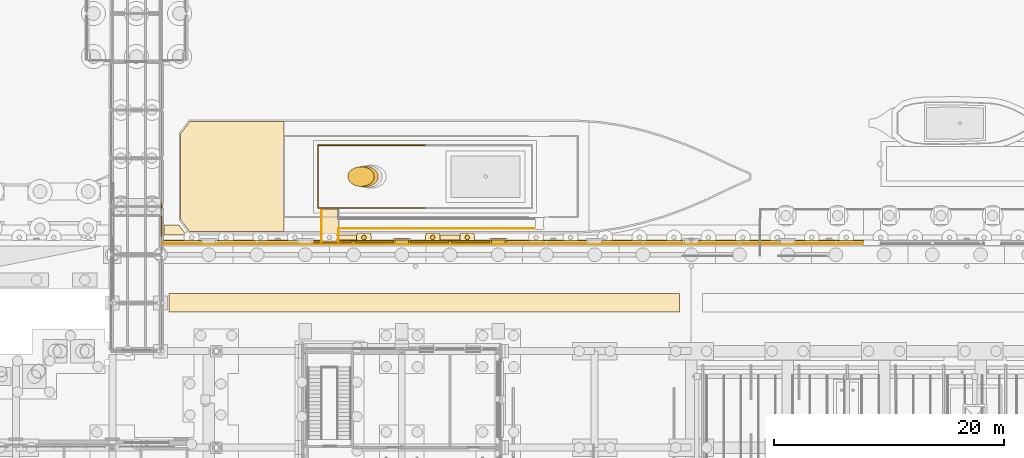
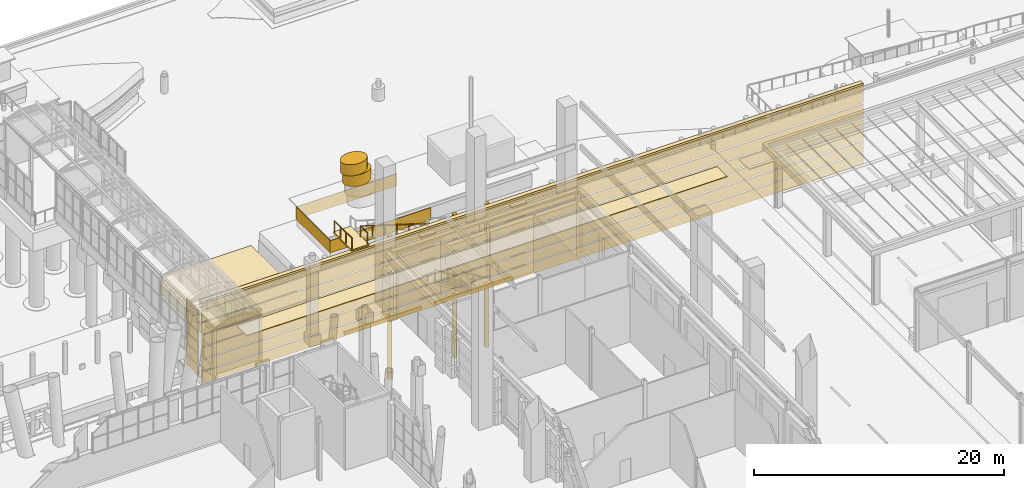
# One storey, part 191 of 222: 38 coverings, 2 railings.
"""IFC4 building model written with IfcOpenShell, lengths in metres."""

from ifc_helpers import new_model, si_unit, direction, frame, origin, origin_2d, place, context, subcontext, project, spatial, polyline, rectangle, circle, outline, extrude, material, layer, layer_set, type_object, element, save


model = new_model("IFC4")

# Units and contexts
model_context = context("Model", 3, precision=1e-05, world=origin(), true_north=direction((0.0, 1.0)))
body_context = subcontext(model_context, "Body", "Model", "MODEL_VIEW")
ifc_project = project(units=[si_unit("LENGTHUNIT", "METRE"), si_unit("AREAUNIT", "SQUARE_METRE"), si_unit("VOLUMEUNIT", "CUBIC_METRE"), si_unit("PLANEANGLEUNIT", "RADIAN"), si_unit("MASSUNIT", "GRAM", prefix="KILO")], contexts=[model_context])

# Site, building, storey
site_placement = place(None, origin())
site = spatial("IfcSite", under=ifc_project, at=site_placement, CompositionType="ELEMENT")
building_placement = place(site_placement, origin())
building = spatial("IfcBuilding", under=site, at=building_placement, Name="Sava Quay Ferry Terminal", CompositionType="ELEMENT")
storey_placement = place(building_placement, origin())
storey = spatial("IfcBuildingStorey", under=building, at=storey_placement, Name="L00", CompositionType="ELEMENT", Elevation=0.0)

# Covering
ifc_material_1 = material(Name="Steel S355", Category="steel")
ifc_layer_1 = layer(ifc_material_1, 0.1201171875)
ifc_layer_set_1 = layer_set([ifc_layer_1], Name="Steel S355")
covering_type_1 = type_object("IfcCoveringType", Name="Boarding gangway plate 120", PredefinedType="FLOORING", material=ifc_layer_set_1)
covering_1_placement = place(storey_placement, frame((94.550048828125, 120.125, 0.0), z_axis=(0.0, 0.0, 1.0), x_axis=(1.0, 0.0, 0.0)))
element("IfcCovering", 1, at=covering_1_placement, inside=storey, type_object=covering_type_1, Name="Boarding gangway", PredefinedType="FLOORING", context=body_context, shape_type="SweptSolid", body=[
    extrude(rectangle(XDim=1.60009765625, YDim=2.949951171875, at=origin_2d()), origin(), (0.0, 0.0, 1.0), 0.1201171875),
])

# Railings
ifc_material_2 = material(Name="Steel S355", Category="steel")
railing_type = type_object("IfcRailingType", Name="Edge guard 1100", PredefinedType="GUARDRAIL", material=ifc_material_2)
railing_1_placement = place(storey_placement, frame((93.820068359375, 118.75, 0.1201171875)))
element("IfcRailing", 2, at=railing_1_placement, inside=storey, type_object=railing_type, Name="Gangway guard", PredefinedType="GUARDRAIL", context=body_context, shape_type="SweptSolid", body=[
    extrude(circle(Radius=0.02392578125, at=origin_2d()), frame((0.0, 0.0, 1.076171875), z_axis=(0.0, 1.0, 0.0), x_axis=(-1.0, 0.0, 0.0)), (0.0, 0.0, 1.0), 2.75),
    extrude(circle(Radius=0.02099609375, at=origin_2d()), origin(), (0.0, 0.0, 1.0), 1.052001953125),
    extrude(circle(Radius=0.02099609375, at=origin_2d()), frame((0.0, 0.916748046875, 0.0)), (0.0, 0.0, 1.0), 1.052001953125),
    extrude(circle(Radius=0.02099609375, at=origin_2d()), frame((0.0, 1.833251953125, 0.0)), (0.0, 0.0, 1.0), 1.052001953125),
    extrude(circle(Radius=0.02099609375, at=origin_2d()), frame((0.0, 2.75, 0.0)), (0.0, 0.0, 1.0), 1.052001953125),
])
railing_2_placement = place(storey_placement, frame((113.1298828125, 119.8701171875, -5.47998046875)))
element("IfcRailing", 3, at=railing_2_placement, inside=storey, type_object=railing_type, Name="Gangway guard", PredefinedType="GUARDRAIL", context=body_context, shape_type="SweptSolid", body=[
    extrude(circle(Radius=0.02392578125, at=origin_2d()), frame((0.0, 0.0, 1.076171875), z_axis=(-0.954144295007, 0.0, 0.299347063298), x_axis=(0.0, -1.0, 0.0)), (0.0, 0.0, 1.0), 18.707763671875),
    extrude(circle(Radius=0.02392578125, at=origin_2d()), frame((-17.849853515625, 0.0, 6.67626953125), z_axis=(0.0, -1.0, 0.0), x_axis=(1.0, 0.0, 0.0)), (0.0, 0.0, 1.0), 1.1201171875),
    extrude(circle(Radius=0.02099609375, at=origin_2d()), origin(), (0.0, 0.0, 1.0), 1.052001953125),
    extrude(circle(Radius=0.02099609375, at=origin_2d()), frame((-1.11572265625, 0.0, 0.35009765625)), (0.0, 0.0, 1.0), 1.052001953125),
    extrude(circle(Radius=0.02099609375, at=origin_2d()), frame((-2.231201171875, 0.0, 0.699951171875)), (0.0, 0.0, 1.0), 1.052001953125),
    extrude(circle(Radius=0.02099609375, at=origin_2d()), frame((-3.346923828125, 0.0, 1.050048828125)), (0.0, 0.0, 1.0), 1.052001953125),
    extrude(circle(Radius=0.02099609375, at=origin_2d()), frame((-4.46240234375, 0.0, 1.39990234375)), (0.0, 0.0, 1.0), 1.052001953125),
    extrude(circle(Radius=0.02099609375, at=origin_2d()), frame((-5.578125, 0.0, 1.75)), (0.0, 0.0, 1.0), 1.052001953125),
    extrude(circle(Radius=0.02099609375, at=origin_2d()), frame((-6.693603515625, 0.0, 2.10009765625)), (0.0, 0.0, 1.0), 1.052001953125),
    extrude(circle(Radius=0.02099609375, at=origin_2d()), frame((-7.809326171875, 0.0, 2.449951171875)), (0.0, 0.0, 1.0), 1.052001953125),
    extrude(circle(Radius=0.02099609375, at=origin_2d()), frame((-8.9248046875, 0.0, 2.800048828125)), (0.0, 0.0, 1.0), 1.052001953125),
    extrude(circle(Radius=0.02099609375, at=origin_2d()), frame((-10.04052734375, 0.0, 3.150146484375)), (0.0, 0.0, 1.0), 1.052001953125),
    extrude(circle(Radius=0.02099609375, at=origin_2d()), frame((-11.15625, 0.0, 3.5)), (0.0, 0.0, 1.0), 1.052001953125),
    extrude(circle(Radius=0.02099609375, at=origin_2d()), frame((-12.271728515625, 0.0, 3.85009765625)), (0.0, 0.0, 1.0), 1.052001953125),
    extrude(circle(Radius=0.02099609375, at=origin_2d()), frame((-13.387451171875, 0.0, 4.2001953125)), (0.0, 0.0, 1.0), 1.052001953125),
    extrude(circle(Radius=0.02099609375, at=origin_2d()), frame((-14.5029296875, 0.0, 4.550048828125)), (0.0, 0.0, 1.0), 1.052001953125),
    extrude(circle(Radius=0.02099609375, at=origin_2d()), frame((-15.61865234375, 0.0, 4.900146484375)), (0.0, 0.0, 1.0), 1.052001953125),
    extrude(circle(Radius=0.02099609375, at=origin_2d()), frame((-16.734130859375, 0.0, 5.25)), (0.0, 0.0, 1.0), 1.052001953125),
    extrude(circle(Radius=0.02099609375, at=origin_2d()), frame((-17.849853515625, 0.0, 5.60009765625)), (0.0, 0.0, 1.0), 1.052001953125),
    extrude(circle(Radius=0.02099609375, at=origin_2d()), frame((-17.849853515625, -1.1201171875, 5.60009765625)), (0.0, 0.0, 1.0), 1.052001953125),
])

# Coverings
ifc_material_3 = material(Name="Greenheart timber", Category="wood")
ifc_layer_2 = layer(ifc_material_3, 0.25)
ifc_layer_set_2 = layer_set([ifc_layer_2], Name="Greenheart timber")
covering_type_2 = type_object("IfcCoveringType", Name="Fender post 250", PredefinedType="CLADDING", material=ifc_layer_set_2)
covering_2_placement = place(storey_placement, frame((0.0, 0.0, -7.60009765625)))
element("IfcCovering", 4, at=covering_2_placement, inside=storey, type_object=covering_type_2, Name="Fender post", PredefinedType="CLADDING", context=body_context, shape_type="SweptSolid", body=[
    extrude(outline(polyline([(96.72509765625, 118.550048828125), (96.72509765625, 118.800048828125), (96.47509765625, 118.800048828125), (96.47509765625, 118.550048828125), (96.72509765625, 118.550048828125)])), origin(), (0.0, 0.0, 1.0), 6.650146484375),
])
covering_3_placement = place(storey_placement, frame((0.0, 0.0, -7.60009765625)))
element("IfcCovering", 5, at=covering_3_placement, inside=storey, type_object=covering_type_2, Name="Fender post", PredefinedType="CLADDING", context=body_context, shape_type="SweptSolid", body=[
    extrude(outline(polyline([(105.125, 118.550048828125), (105.125, 118.800048828125), (104.875, 118.800048828125), (104.875, 118.550048828125), (105.125, 118.550048828125)])), origin(), (0.0, 0.0, 1.0), 6.650146484375),
])
ifc_material_4 = material(Name="Greenheart timber", Category="wood")
ifc_layer_3 = layer(ifc_material_4, 0.14990234375)
ifc_layer_set_3 = layer_set([ifc_layer_3], Name="Greenheart timber")
covering_type_3 = type_object("IfcCoveringType", Name="Fender rubbing strip 150", PredefinedType="CLADDING", material=ifc_layer_set_3)
covering_4_placement = place(storey_placement, frame((0.0, 0.0, -7.89990234375)))
element("IfcCovering", 6, at=covering_4_placement, inside=storey, type_object=covering_type_3, Name="Fender rubbing strip", PredefinedType="CLADDING", context=body_context, shape_type="SweptSolid", body=[
    extrude(outline(polyline([(101.409912109375, 118.550048828125), (108.590087890625, 118.550048828125), (108.590087890625, 118.699951171875), (101.409912109375, 118.699951171875), (101.409912109375, 118.550048828125)])), origin(), (0.0, 0.0, 1.0), 0.2998046875),
])
covering_5_placement = place(storey_placement, frame((0.0, 0.0, -7.89990234375)))
element("IfcCovering", 7, at=covering_5_placement, inside=storey, type_object=covering_type_3, Name="Fender rubbing strip", PredefinedType="CLADDING", context=body_context, shape_type="SweptSolid", body=[
    extrude(outline(polyline([(93.010009765625, 118.550048828125), (100.18994140625, 118.550048828125), (100.18994140625, 118.699951171875), (93.010009765625, 118.699951171875), (93.010009765625, 118.550048828125)])), origin(), (0.0, 0.0, 1.0), 0.2998046875),
])
ifc_material_5 = material(Name="Steel S355", Category="steel")
ifc_layer_4 = layer(ifc_material_5, 1.0)
ifc_layer_set_4 = layer_set([ifc_layer_4], Name="Steel S355")
covering_type_4 = type_object("IfcCoveringType", Name="Ferry forecastle and poop 1000", PredefinedType="CLADDING", material=ifc_layer_set_4)
covering_6_placement = place(storey_placement, frame((0.0, 0.0, -5.60009765625)))
element("IfcCovering", 8, at=covering_6_placement, inside=storey, type_object=covering_type_4, Name="Ferry poop deck", PredefinedType="CLADDING", context=body_context, shape_type="SweptSolid", body=[
    extrude(outline(polyline([(82.35009765625, 129.199951171875), (81.550048828125, 128.14404296875), (81.550048828125, 120.656005859375), (82.35009765625, 119.60009765625), (90.550048828125, 119.60009765625), (90.550048828125, 129.199951171875), (82.35009765625, 129.199951171875)])), origin(), (0.0, 0.0, 1.0), 0.900146484375),
])
ifc_material_6 = material(Name="Steel S355", Category="steel")
ifc_layer_5 = layer(ifc_material_6, 4.39990234375)
ifc_layer_set_5 = layer_set([ifc_layer_5], Name="Steel S355")
covering_type_5 = type_object("IfcCoveringType", Name="Ferry funnel", PredefinedType="CLADDING", material=ifc_layer_set_5)
covering_7_placement = place(storey_placement, frame((0.0, 0.0, 2.199951171875)))
element("IfcCovering", 9, at=covering_7_placement, inside=storey, type_object=covering_type_5, Name="Ferry funnel", PredefinedType="CLADDING", context=body_context, shape_type="SweptSolid", body=[
    extrude(outline(polyline([(98.7548828125, 124.39990234375), (98.7451171875, 124.51708984375), (98.714111328125, 124.633056640625), (98.6630859375, 124.743896484375), (98.592041015625, 124.85009765625), (98.50390625, 124.947998046875), (98.39892578125, 125.035888671875), (98.280029296875, 125.114013671875), (98.14697265625, 125.178955078125), (98.0048828125, 125.23095703125), (97.85400390625, 125.26904296875), (97.698974609375, 125.2919921875), (97.5400390625, 125.300048828125), (97.381103515625, 125.2919921875), (97.22607421875, 125.26904296875), (97.074951171875, 125.23095703125), (96.931884765625, 125.178955078125), (96.800048828125, 125.114013671875), (96.680908203125, 125.035888671875), (96.575927734375, 124.947998046875), (96.488037109375, 124.85009765625), (96.4169921875, 124.743896484375), (96.365966796875, 124.633056640625), (96.3349609375, 124.51708984375), (96.324951171875, 124.39990234375), (96.3349609375, 124.282958984375), (96.365966796875, 124.1669921875), (96.4169921875, 124.055908203125), (96.488037109375, 123.949951171875), (96.575927734375, 123.85205078125), (96.680908203125, 123.763916015625), (96.800048828125, 123.68603515625), (96.931884765625, 123.62109375), (97.074951171875, 123.569091796875), (97.22607421875, 123.531005859375), (97.381103515625, 123.508056640625), (97.5400390625, 123.5), (97.698974609375, 123.508056640625), (97.85400390625, 123.531005859375), (98.0048828125, 123.569091796875), (98.14697265625, 123.62109375), (98.280029296875, 123.68603515625), (98.39892578125, 123.763916015625), (98.50390625, 123.85205078125), (98.592041015625, 123.949951171875), (98.6630859375, 124.055908203125), (98.714111328125, 124.1669921875), (98.7451171875, 124.282958984375), (98.7548828125, 124.39990234375)])), origin(), (0.0, 0.0, 1.0), 1.10009765625),
])
covering_8_placement = place(storey_placement, frame((0.0, 0.0, 3.300048828125)))
element("IfcCovering", 10, at=covering_8_placement, inside=storey, type_object=covering_type_5, Name="Ferry funnel", PredefinedType="CLADDING", context=body_context, shape_type="SweptSolid", body=[
    extrude(outline(polyline([(98.406982421875, 124.39990234375), (98.39794921875, 124.510986328125), (98.367919921875, 124.6201171875), (98.320068359375, 124.72509765625), (98.25390625, 124.824951171875), (98.169921875, 124.9169921875), (98.071044921875, 125.0009765625), (97.958984375, 125.073974609375), (97.833984375, 125.135986328125), (97.698974609375, 125.18505859375), (97.556884765625, 125.220947265625), (97.409912109375, 125.242919921875), (97.260009765625, 125.25), (97.110107421875, 125.242919921875), (96.962890625, 125.220947265625), (96.821044921875, 125.18505859375), (96.68603515625, 125.135986328125), (96.56103515625, 125.073974609375), (96.448974609375, 125.0009765625), (96.35009765625, 124.9169921875), (96.26611328125, 124.824951171875), (96.199951171875, 124.72509765625), (96.152099609375, 124.6201171875), (96.1220703125, 124.510986328125), (96.112060546875, 124.39990234375), (96.1220703125, 124.2890625), (96.152099609375, 124.179931640625), (96.199951171875, 124.074951171875), (96.26611328125, 123.97509765625), (96.35009765625, 123.883056640625), (96.448974609375, 123.799072265625), (96.56103515625, 123.72607421875), (96.68603515625, 123.6640625), (96.821044921875, 123.614990234375), (96.962890625, 123.5791015625), (97.110107421875, 123.556884765625), (97.260009765625, 123.550048828125), (97.409912109375, 123.556884765625), (97.556884765625, 123.5791015625), (97.698974609375, 123.614990234375), (97.833984375, 123.6640625), (97.958984375, 123.72607421875), (98.071044921875, 123.799072265625), (98.169921875, 123.883056640625), (98.25390625, 123.97509765625), (98.320068359375, 124.074951171875), (98.367919921875, 124.179931640625), (98.39794921875, 124.2890625), (98.406982421875, 124.39990234375)])), origin(), (0.0, 0.0, 1.0), 1.099853515625),
])
ifc_material_7 = material(Name="Glass", Category="glass")
ifc_layer_6 = layer(ifc_material_7, 0.06005859375)
ifc_layer_set_6 = layer_set([ifc_layer_6], Name="Glass")
covering_type_6 = type_object("IfcCoveringType", Name="Ferry window band 60", PredefinedType="CLADDING", material=ifc_layer_set_6)
covering_9_placement = place(storey_placement, frame((0.0, 0.0, -1.89990234375)))
element("IfcCovering", 11, at=covering_9_placement, inside=storey, type_object=covering_type_6, Name="Ferry window band", PredefinedType="CLADDING", context=body_context, shape_type="SweptSolid", body=[
    extrude(outline(polyline([(93.489990234375, 121.639892578125), (102.824951171875, 121.639892578125), (102.824951171875, 121.699951171875), (93.550048828125, 121.699951171875), (93.550048828125, 127.10009765625), (102.824951171875, 127.10009765625), (102.824951171875, 127.159912109375), (93.489990234375, 127.159912109375), (93.489990234375, 121.639892578125)])), origin(), (0.0, 0.0, 1.0), 1.199951171875),
])
ifc_material_8 = material(Name="Timber", Category="wood")
ifc_layer_7 = layer(ifc_material_8, 0.39990234375)
ifc_layer_set_7 = layer_set([ifc_layer_7], Name="Timber")
covering_type_7 = type_object("IfcCoveringType", Name="Quay fender pile 400", PredefinedType="CLADDING", material=ifc_layer_set_7)
for number, where, z_axis, x_axis, name in (
    (12, (97.5, 119.10009765625, 0.0), (0.0, 0.0, -1.0), (1.0, 0.0, 0.0), "Quay fender pile"),
    (13, (103.5, 119.10009765625, 0.0), (0.0, 0.0, -1.0), (1.0, 0.0, 0.0), "Quay fender pile"),
    (14, (106.5, 119.10009765625, 0.0), (0.0, 0.0, -1.0), (1.0, 0.0, 0.0), "Quay fender pile"),
):
    element("IfcCovering", number, at=place(storey_placement, frame(where, z_axis=z_axis, x_axis=x_axis)), inside=storey, type_object=covering_type_7, Name=name, PredefinedType="CLADDING", context=body_context, shape_type="SweptSolid", body=[
        extrude(circle(Radius=0.199951171875, at=origin_2d()), origin(), (0.0, 0.0, 1.0), 14.0),
    ])
ifc_material_9 = material(Name="Timber", Category="wood")
ifc_layer_8 = layer(ifc_material_9, 0.39990234375)
ifc_layer_set_8 = layer_set([ifc_layer_8], Name="Timber")
covering_type_8 = type_object("IfcCoveringType", Name="Quay fender waling", PredefinedType="MOLDING", material=ifc_layer_set_8)
covering_10_placement = place(storey_placement, frame((0.0, 0.0, -6.5)))
element("IfcCovering", 15, at=covering_10_placement, inside=storey, type_object=covering_type_8, Name="Quay fender waling", PredefinedType="MOLDING", context=body_context, shape_type="SweptSolid", body=[
    extrude(outline(polyline([(97.300048828125, 118.89990234375), (97.300048828125, 119.300048828125), (94.699951171875, 119.300048828125), (94.699951171875, 118.89990234375), (97.300048828125, 118.89990234375)])), origin(), (0.0, 0.0, 1.0), 0.300048828125),
])
covering_11_placement = place(storey_placement, frame((0.0, 0.0, -6.5)))
element("IfcCovering", 16, at=covering_11_placement, inside=storey, type_object=covering_type_8, Name="Quay fender waling", PredefinedType="MOLDING", context=body_context, shape_type="SweptSolid", body=[
    extrude(outline(polyline([(106.300048828125, 118.89990234375), (106.300048828125, 119.300048828125), (103.699951171875, 119.300048828125), (103.699951171875, 118.89990234375), (106.300048828125, 118.89990234375)])), origin(), (0.0, 0.0, 1.0), 0.300048828125),
])
ifc_material_10 = material(Name="Limestone Mutalj", Category="masonry")
ifc_layer_9 = layer(ifc_material_10, 0.449951171875)
ifc_layer_set_9 = layer_set([ifc_layer_9], Name="Limestone Mutalj")
covering_type_9 = type_object("IfcCoveringType", Name="Quay pilaster cap 1400", PredefinedType="MOLDING", material=ifc_layer_set_9)
covering_12_placement = place(storey_placement, frame((0.0, 0.0, -0.949951171875)))
element("IfcCovering", 17, at=covering_12_placement, inside=storey, type_object=covering_type_9, Name="Quay pilaster cap", PredefinedType="MOLDING", context=body_context, shape_type="SweptSolid", body=[
    extrude(outline(polyline([(101.5, 118.550048828125), (101.5, 119.0), (100.10009765625, 119.0), (100.10009765625, 118.550048828125), (101.5, 118.550048828125)])), origin(), (0.0, 0.0, 1.0), 0.14990234375),
])
covering_13_placement = place(storey_placement, frame((0.0, 0.0, -0.949951171875)))
element("IfcCovering", 18, at=covering_13_placement, inside=storey, type_object=covering_type_9, Name="Quay pilaster cap", PredefinedType="MOLDING", context=body_context, shape_type="SweptSolid", body=[
    extrude(outline(polyline([(109.89990234375, 118.550048828125), (109.89990234375, 119.0), (108.5, 119.0), (108.5, 118.550048828125), (109.89990234375, 118.550048828125)])), origin(), (0.0, 0.0, 1.0), 0.14990234375),
])
ifc_material_11 = material(Name="Limestone Mutalj", Category="masonry")
ifc_layer_10 = layer(ifc_material_11, 0.39990234375)
ifc_layer_set_10 = layer_set([ifc_layer_10], Name="Limestone Mutalj")
covering_type_10 = type_object("IfcCoveringType", Name="Quay wall coping 400", PredefinedType="MOLDING", material=ifc_layer_set_10)
covering_14_placement = place(storey_placement, frame((0.0, 0.0, -0.199951171875)))
element("IfcCovering", 19, at=covering_14_placement, inside=storey, type_object=covering_type_10, Name="Quay wall coping", PredefinedType="MOLDING", context=body_context, shape_type="SweptSolid", body=[
    extrude(outline(polyline([(141.0, 118.89990234375), (79.800048828125, 118.89990234375), (79.800048828125, 118.5), (141.0, 118.5), (141.0, 118.89990234375)])), origin(), (0.0, 0.0, 1.0), 0.199951171875),
])
ifc_material_12 = material(Name="Limestone Mutalj", Category="masonry")
ifc_layer_11 = layer(ifc_material_12, 0.35009765625)
ifc_layer_set_11 = layer_set([ifc_layer_11], Name="Limestone Mutalj")
covering_type_11 = type_object("IfcCoveringType", Name="Quay wall cornice 350", PredefinedType="MOLDING", material=ifc_layer_set_11)
covering_15_placement = place(storey_placement, frame((0.0, 0.0, -0.800048828125)))
element("IfcCovering", 20, at=covering_15_placement, inside=storey, type_object=covering_type_11, Name="Quay wall cornice", PredefinedType="MOLDING", context=body_context, shape_type="SweptSolid", body=[
    extrude(outline(polyline([(141.0, 118.85009765625), (79.800048828125, 118.85009765625), (79.800048828125, 118.5), (141.0, 118.5), (141.0, 118.85009765625)])), origin(), (0.0, 0.0, 1.0), 0.60009765625),
])
ifc_material_13 = material(Name="Limestone Mutalj", Category="masonry")
ifc_layer_12 = layer(ifc_material_13, 0.35009765625)
ifc_layer_set_12 = layer_set([ifc_layer_12], Name="Limestone Mutalj")
covering_type_12 = type_object("IfcCoveringType", Name="Quay wall pilaster 1200", PredefinedType="CLADDING", material=ifc_layer_set_12)
covering_16_placement = place(storey_placement, frame((0.0, 0.0, -8.0)))
element("IfcCovering", 21, at=covering_16_placement, inside=storey, type_object=covering_type_12, Name="Quay wall pilaster", PredefinedType="CLADDING", context=body_context, shape_type="SweptSolid", body=[
    extrude(outline(polyline([(101.39990234375, 118.550048828125), (101.39990234375, 118.89990234375), (100.199951171875, 118.89990234375), (100.199951171875, 118.550048828125), (101.39990234375, 118.550048828125)])), origin(), (0.0, 0.0, 1.0), 7.050048828125),
])
covering_17_placement = place(storey_placement, frame((0.0, 0.0, -8.0)))
element("IfcCovering", 22, at=covering_17_placement, inside=storey, type_object=covering_type_12, Name="Quay wall pilaster", PredefinedType="CLADDING", context=body_context, shape_type="SweptSolid", body=[
    extrude(outline(polyline([(109.800048828125, 118.550048828125), (109.800048828125, 118.89990234375), (108.60009765625, 118.89990234375), (108.60009765625, 118.550048828125), (109.800048828125, 118.550048828125)])), origin(), (0.0, 0.0, 1.0), 7.050048828125),
])
ifc_material_14 = material(Name="Water")
ifc_layer_13 = layer(ifc_material_14, 0.0400390625)
ifc_layer_set_13 = layer_set([ifc_layer_13], Name="Water")
covering_type_13 = type_object("IfcCoveringType", Name="River foam collar", PredefinedType="CLADDING", material=ifc_layer_set_13)
covering_18_placement = place(storey_placement, frame((0.0, 0.0, -8.0)))
element("IfcCovering", 23, at=covering_18_placement, inside=storey, type_object=covering_type_13, Name="River foam collar", PredefinedType="CLADDING", context=body_context, shape_type="SweptSolid", body=[
    extrude(outline(polyline([(79.884033203125, 122.14501953125), (79.800048828125, 122.301025390625), (79.800048828125, 121.299072265625), (79.884033203125, 121.455078125), (79.93505859375, 121.6240234375), (79.951904296875, 121.800048828125), (79.93505859375, 121.97607421875), (79.884033203125, 122.14501953125)])), origin(), (0.0, 0.0, 1.0), 0.0400390625),
])
covering_19_placement = place(storey_placement, frame((0.0, 0.0, -8.0)))
element("IfcCovering", 24, at=covering_19_placement, inside=storey, type_object=covering_type_13, Name="River foam collar", PredefinedType="CLADDING", context=body_context, shape_type="SweptSolid", body=[
    extrude(outline(polyline([(96.971923828125, 119.47998046875), (96.9580078125, 119.4619140625), (96.89697265625, 119.35009765625), (96.860107421875, 119.22705078125), (96.847900390625, 119.10009765625), (96.860107421875, 118.972900390625), (96.89794921875, 118.85009765625), (98.10205078125, 118.85009765625), (98.139892578125, 118.972900390625), (98.152099609375, 119.10009765625), (98.139892578125, 119.22705078125), (98.10302734375, 119.35009765625), (98.0419921875, 119.4619140625), (98.028076171875, 119.47998046875), (96.971923828125, 119.47998046875)]), holes=[polyline([(97.611083984375, 118.93408203125), (97.576904296875, 118.9150390625), (97.5390625, 118.904052734375), (97.5, 118.89990234375), (97.4609375, 118.904052734375), (97.423095703125, 118.9150390625), (97.388916015625, 118.93408203125), (97.35888671875, 118.958984375), (97.333984375, 118.989013671875), (97.31494140625, 119.02294921875), (97.303955078125, 119.06103515625), (97.300048828125, 119.10009765625), (97.303955078125, 119.138916015625), (97.31494140625, 119.177001953125), (97.333984375, 119.2109375), (97.35888671875, 119.240966796875), (97.388916015625, 119.26611328125), (97.423095703125, 119.284912109375), (97.4609375, 119.2958984375), (97.5, 119.300048828125), (97.5390625, 119.2958984375), (97.576904296875, 119.284912109375), (97.611083984375, 119.26611328125), (97.64111328125, 119.240966796875), (97.666015625, 119.2109375), (97.68505859375, 119.177001953125), (97.696044921875, 119.138916015625), (97.699951171875, 119.10009765625), (97.696044921875, 119.06103515625), (97.68505859375, 119.02294921875), (97.666015625, 118.989013671875), (97.64111328125, 118.958984375), (97.611083984375, 118.93408203125)])]), origin(), (0.0, 0.0, 1.0), 0.0400390625),
])
covering_20_placement = place(storey_placement, frame((0.0, 0.0, -8.0)))
element("IfcCovering", 25, at=covering_20_placement, inside=storey, type_object=covering_type_13, Name="River foam collar", PredefinedType="CLADDING", context=body_context, shape_type="SweptSolid", body=[
    extrude(outline(polyline([(104.028076171875, 119.47998046875), (102.971923828125, 119.47998046875), (102.9580078125, 119.4619140625), (102.89697265625, 119.35009765625), (102.860107421875, 119.22705078125), (102.847900390625, 119.10009765625), (102.860107421875, 118.972900390625), (102.89794921875, 118.85009765625), (104.10205078125, 118.85009765625), (104.139892578125, 118.972900390625), (104.152099609375, 119.10009765625), (104.139892578125, 119.22705078125), (104.10302734375, 119.35009765625), (104.0419921875, 119.4619140625), (104.028076171875, 119.47998046875)]), holes=[polyline([(103.64111328125, 118.958984375), (103.611083984375, 118.93408203125), (103.576904296875, 118.9150390625), (103.5390625, 118.904052734375), (103.5, 118.89990234375), (103.4609375, 118.904052734375), (103.423095703125, 118.9150390625), (103.388916015625, 118.93408203125), (103.35888671875, 118.958984375), (103.333984375, 118.989013671875), (103.31494140625, 119.02294921875), (103.303955078125, 119.06103515625), (103.300048828125, 119.10009765625), (103.303955078125, 119.138916015625), (103.31494140625, 119.177001953125), (103.333984375, 119.2109375), (103.35888671875, 119.240966796875), (103.388916015625, 119.26611328125), (103.423095703125, 119.284912109375), (103.4609375, 119.2958984375), (103.5, 119.300048828125), (103.5390625, 119.2958984375), (103.576904296875, 119.284912109375), (103.611083984375, 119.26611328125), (103.64111328125, 119.240966796875), (103.666015625, 119.2109375), (103.68505859375, 119.177001953125), (103.696044921875, 119.138916015625), (103.699951171875, 119.10009765625), (103.696044921875, 119.06103515625), (103.68505859375, 119.02294921875), (103.666015625, 118.989013671875), (103.64111328125, 118.958984375)])]), origin(), (0.0, 0.0, 1.0), 0.0400390625),
])
covering_21_placement = place(storey_placement, frame((0.0, 0.0, -8.0)))
element("IfcCovering", 26, at=covering_21_placement, inside=storey, type_object=covering_type_13, Name="River foam collar", PredefinedType="CLADDING", context=body_context, shape_type="SweptSolid", body=[
    extrude(outline(polyline([(107.0419921875, 119.4619140625), (107.028076171875, 119.47998046875), (105.971923828125, 119.47998046875), (105.9580078125, 119.4619140625), (105.89697265625, 119.35009765625), (105.860107421875, 119.22705078125), (105.847900390625, 119.10009765625), (105.860107421875, 118.972900390625), (105.89794921875, 118.85009765625), (107.10205078125, 118.85009765625), (107.139892578125, 118.972900390625), (107.152099609375, 119.10009765625), (107.139892578125, 119.22705078125), (107.10302734375, 119.35009765625), (107.0419921875, 119.4619140625)]), holes=[polyline([(106.666015625, 118.989013671875), (106.64111328125, 118.958984375), (106.611083984375, 118.93408203125), (106.576904296875, 118.9150390625), (106.5390625, 118.904052734375), (106.5, 118.89990234375), (106.4609375, 118.904052734375), (106.423095703125, 118.9150390625), (106.388916015625, 118.93408203125), (106.35888671875, 118.958984375), (106.333984375, 118.989013671875), (106.31494140625, 119.02294921875), (106.303955078125, 119.06103515625), (106.300048828125, 119.10009765625), (106.303955078125, 119.138916015625), (106.31494140625, 119.177001953125), (106.333984375, 119.2109375), (106.35888671875, 119.240966796875), (106.388916015625, 119.26611328125), (106.423095703125, 119.284912109375), (106.4609375, 119.2958984375), (106.5, 119.300048828125), (106.5390625, 119.2958984375), (106.576904296875, 119.284912109375), (106.611083984375, 119.26611328125), (106.64111328125, 119.240966796875), (106.666015625, 119.2109375), (106.68505859375, 119.177001953125), (106.696044921875, 119.138916015625), (106.699951171875, 119.10009765625), (106.696044921875, 119.06103515625), (106.68505859375, 119.02294921875), (106.666015625, 118.989013671875)])]), origin(), (0.0, 0.0, 1.0), 0.0400390625),
])
ifc_material_15 = material(Name="Water")
ifc_layer_14 = layer(ifc_material_15, 0.050048828125)
ifc_layer_set_14 = layer_set([ifc_layer_14], Name="Water")
covering_type_14 = type_object("IfcCoveringType", Name="River foam line", PredefinedType="CLADDING", material=ifc_layer_set_14)
covering_22_placement = place(storey_placement, frame((0.0, 0.0, -8.0)))
element("IfcCovering", 27, at=covering_22_placement, inside=storey, type_object=covering_type_14, Name="River foam line", PredefinedType="CLADDING", context=body_context, shape_type="SweptSolid", body=[
    extrude(outline(polyline([(81.368896484375, 120.199951171875), (80.10009765625, 120.199951171875), (80.10009765625, 119.300048828125), (82.0419921875, 119.300048828125), (82.044921875, 119.305908203125), (81.368896484375, 120.199951171875)])), origin(), (0.0, 0.0, 1.0), 0.050048828125),
])
ifc_material_16 = material(Name="Limestone Mutalj", Category="masonry")
ifc_layer_15 = layer(ifc_material_16, 0.050048828125)
ifc_layer_set_15 = layer_set([ifc_layer_15], Name="Limestone Mutalj")
covering_type_15 = type_object("IfcCoveringType", Name="Rustication course 250", PredefinedType="MOLDING", material=ifc_layer_set_15)
covering_23_placement = place(storey_placement, frame((0.0, 0.0, -7.93994140625)))
element("IfcCovering", 28, at=covering_23_placement, inside=storey, type_object=covering_type_15, Name="Rustication course", PredefinedType="MOLDING", context=body_context, shape_type="SweptSolid", body=[
    extrude(outline(polyline([(141.0, 118.550048828125), (79.800048828125, 118.550048828125), (79.800048828125, 118.5), (141.0, 118.5), (141.0, 118.550048828125)])), origin(), (0.0, 0.0, 1.0), 1.079833984375),
])
for number, where, name in (
    (29, (0.0, 0.0, -6.739990234375), "Rustication course"),
    (30, (0.0, 0.0, -5.5400390625), "Rustication course"),
    (31, (0.0, 0.0, -4.340087890625), "Rustication course"),
):
    element("IfcCovering", number, at=place(storey_placement, frame(where)), inside=storey, type_object=covering_type_15, Name=name, PredefinedType="MOLDING", context=body_context, shape_type="SweptSolid", body=[
        extrude(outline(polyline([(141.0, 118.550048828125), (79.800048828125, 118.550048828125), (79.800048828125, 118.5), (141.0, 118.5), (141.0, 118.550048828125)])), origin(), (0.0, 0.0, 1.0), 1.080078125),
    ])
for number, where, name in (
    (32, (0.0, 0.0, -3.139892578125), "Rustication course"),
    (33, (0.0, 0.0, -1.93994140625), "Rustication course"),
):
    element("IfcCovering", number, at=place(storey_placement, frame(where)), inside=storey, type_object=covering_type_15, Name=name, PredefinedType="MOLDING", context=body_context, shape_type="SweptSolid", body=[
        extrude(outline(polyline([(141.0, 118.550048828125), (79.800048828125, 118.550048828125), (79.800048828125, 118.5), (141.0, 118.5), (141.0, 118.550048828125)])), origin(), (0.0, 0.0, 1.0), 1.079833984375),
    ])
for number, where, name in (
    (34, (0.0, 0.0, -7.5400390625), "Rustication course"),
    (35, (0.0, 0.0, -6.456787109375), "Rustication course"),
    (36, (0.0, 0.0, -5.373291015625), "Rustication course"),
    (37, (0.0, 0.0, -4.2900390625), "Rustication course"),
    (38, (0.0, 0.0, -3.206787109375), "Rustication course"),
    (39, (0.0, 0.0, -2.123291015625), "Rustication course"),
):
    element("IfcCovering", number, at=place(storey_placement, frame(where)), inside=storey, type_object=covering_type_15, Name=name, PredefinedType="MOLDING", context=body_context, shape_type="SweptSolid", body=[
        extrude(outline(polyline([(79.800048828125, 119.199951171875), (79.949951171875, 119.199951171875), (79.949951171875, 120.949951171875), (79.800048828125, 120.949951171875), (79.800048828125, 119.199951171875)])), origin(), (0.0, 0.0, 1.0), 0.96337890625),
    ])
ifc_material_17 = material(Name="Limestone Mutalj", Category="masonry")
ifc_layer_16 = layer(ifc_material_17, 0.050048828125)
ifc_layer_set_16 = layer_set([ifc_layer_16], Name="Limestone Mutalj")
covering_type_16 = type_object("IfcCoveringType", Name="Stone paving band 50", PredefinedType="FLOORING", material=ifc_layer_set_16)
covering_24_placement = place(storey_placement, origin())
element("IfcCovering", 40, at=covering_24_placement, inside=storey, type_object=covering_type_16, Name="Stone paving band", PredefinedType="FLOORING", context=body_context, shape_type="SweptSolid", body=[
    extrude(outline(polyline([(80.550048828125, 114.199951171875), (80.550048828125, 112.60009765625), (125.0, 112.60009765625), (125.0, 114.199951171875), (80.550048828125, 114.199951171875)])), origin(), (0.0, 0.0, 1.0), 0.050048828125),
])

save(model, "model.ifc")
